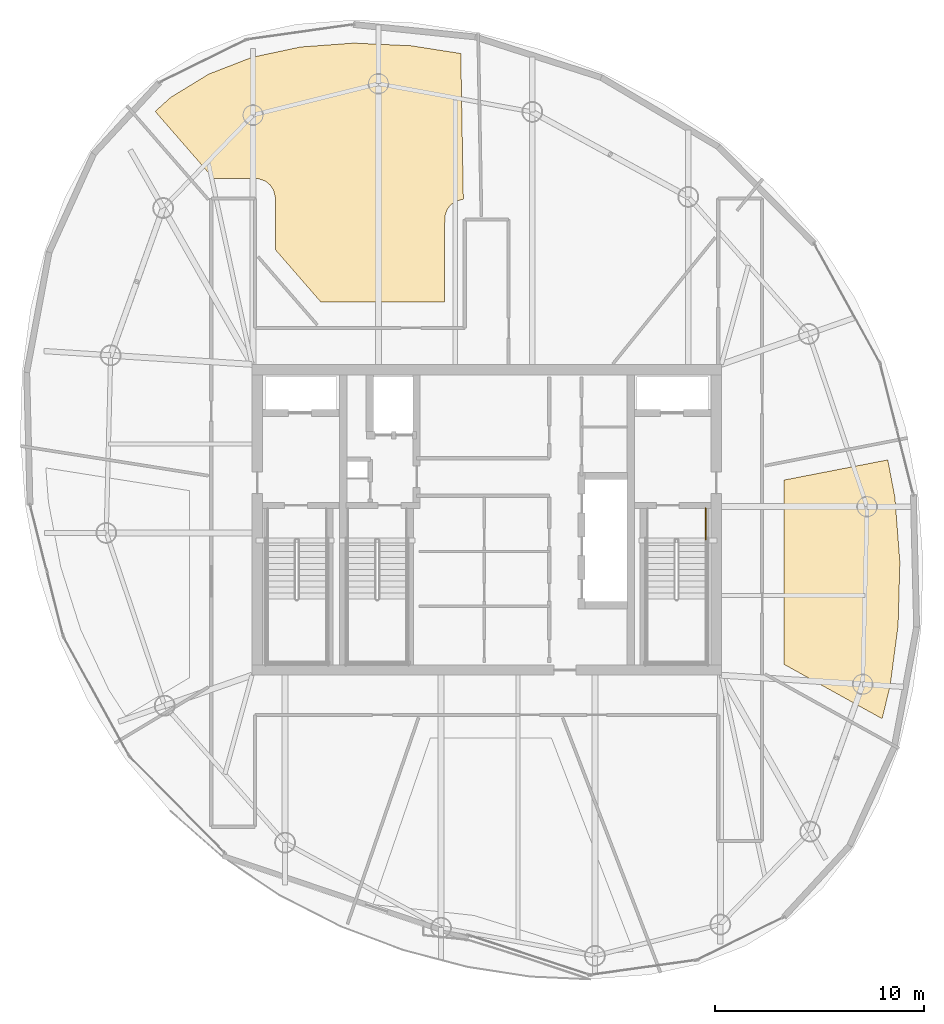
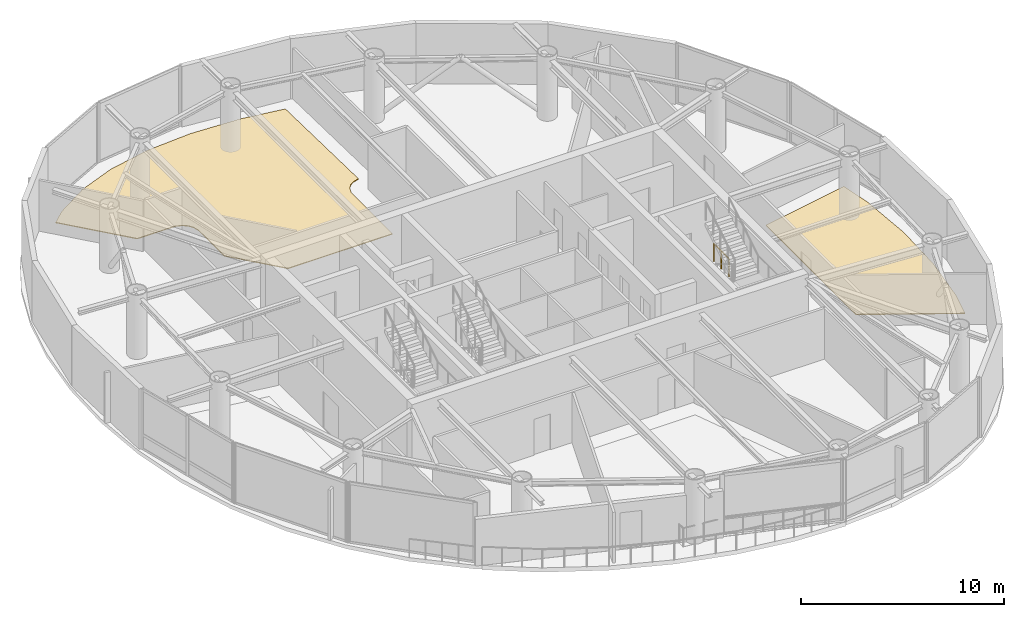
# One storey, part 20 of 20: 2 coverings, 1 railing.
"""IFC4 building model written with IfcOpenShell, lengths in metres."""

from ifc_helpers import new_model, si_unit, direction, frame, origin, origin_2d, place, context, subcontext, project, spatial, polyline, circle, outline, extrude, material, layer, layer_set, type_object, element, save


model = new_model("IFC4")

# Units and contexts
model_context = context("Model", 3, precision=1e-05, world=origin(), true_north=direction((0.0, 1.0)))
body_context = subcontext(model_context, "Body", "Model", "MODEL_VIEW")
ifc_project = project(units=[si_unit("LENGTHUNIT", "METRE"), si_unit("AREAUNIT", "SQUARE_METRE"), si_unit("VOLUMEUNIT", "CUBIC_METRE"), si_unit("PLANEANGLEUNIT", "RADIAN"), si_unit("MASSUNIT", "GRAM", prefix="KILO")], contexts=[model_context])

# Site, building, storey
site_placement = place(None, origin())
site = spatial("IfcSite", under=ifc_project, at=site_placement, CompositionType="ELEMENT")
building_placement = place(site_placement, origin())
building = spatial("IfcBuilding", under=site, at=building_placement, Name="Bramvorn Convention Spire", CompositionType="ELEMENT")
storey_placement = place(building_placement, frame((0.0, 0.0, 245.89990234375)))
storey = spatial("IfcBuildingStorey", under=building, at=storey_placement, Name="L62", CompositionType="ELEMENT", Elevation=245.89990234375)

# Coverings
ifc_material_1 = material(Name="Calcium-Sulphate Raised Access Office Floor", Category="steel")
ifc_layer = layer(ifc_material_1, 0.044921875)
ifc_layer_set = layer_set([ifc_layer], Name="Calcium-Sulphate Raised Access Office Floor - FLR-RAISED-45")
covering_type = type_object("IfcCoveringType", Name="FLR-RAISED-45", PredefinedType="FLOORING", material=ifc_layer_set)
covering_1_placement = place(storey_placement, origin())
element("IfcCovering", 1, at=covering_1_placement, inside=storey, type_object=covering_type, Name="L62 Conference Meeting Room 4 4 raised floor finish", PredefinedType="FLOORING", context=body_context, shape_type="SweptSolid", body=[
    extrude(outline(polyline([(22.852783203125, 46.24755859375), (22.10986328125, 45.5751953125), (24.89599609375, 42.3701171875), (27.03662109375, 42.360107421875), (27.3935546875, 42.23486328125), (27.62255859375, 42.047119140625), (27.779296875, 41.809326171875), (27.868408203125, 41.45361328125), (27.8701171875, 38.94873046875), (30.042236328125, 36.449951171875), (35.97998046875, 36.449951171875), (35.991455078125, 40.548095703125), (36.114990234375, 40.8935546875), (36.294189453125, 41.11474609375), (36.540771484375, 41.279296875), (36.881591796875, 41.366943359375), (36.759765625, 48.3505859375), (34.38427734375, 48.72119140625), (31.6337890625, 48.85009765625), (29.07421875, 48.66357421875), (26.747802734375, 48.16650390625), (24.674560546875, 47.36181640625), (22.852783203125, 46.24755859375)])), origin(), (0.0, 0.0, 1.0), 0.045166015625),
])
covering_2_placement = place(storey_placement, origin())
element("IfcCovering", 2, at=covering_2_placement, inside=storey, type_object=covering_type, Name="L62 Conference Meeting Room 1 10 raised floor finish", PredefinedType="FLOORING", context=body_context, shape_type="SweptSolid", body=[
    extrude(outline(polyline([(57.56640625, 27.08203125), (57.2265625, 28.871337890625), (52.25, 27.904052734375), (52.25, 19.072998046875), (56.954345703125, 16.46533203125), (57.338134765625, 18.0380859375), (57.720703125, 20.93017578125), (57.805908203125, 23.970458984375), (57.56640625, 27.08203125)])), origin(), (0.0, 0.0, 1.0), 0.045166015625),
])

# Railing
ifc_material_2 = material(Name="Painted Steel Balustrade & Guardrail", Category="steel")
railing_type = type_object("IfcRailingType", Name="RL-STAIR-GUARD-1100", PredefinedType="GUARDRAIL", material=ifc_material_2)
railing_placement = place(storey_placement, frame((48.5, 26.550048828125, 0.0)))
element("IfcRailing", 3, at=railing_placement, inside=storey, type_object=railing_type, Name="L62 ST2 stair guard 9", PredefinedType="GUARDRAIL", context=body_context, shape_type="SweptSolid", body=[
    extrude(circle(Radius=0.02392578125, at=origin_2d()), frame((0.0, 0.0, 1.076171875), z_axis=(0.0, -1.0, 0.0), x_axis=(1.0, 0.0, 0.0)), (0.0, 0.0, 1.0), 1.5),
    extrude(circle(Radius=0.02099609375, at=origin_2d()), origin(), (0.0, 0.0, 1.0), 1.052001953125),
    extrude(circle(Radius=0.02099609375, at=origin_2d()), frame((0.0, -0.75, 0.0)), (0.0, 0.0, 1.0), 1.052001953125),
    extrude(circle(Radius=0.02099609375, at=origin_2d()), frame((0.0, -1.5, 0.0)), (0.0, 0.0, 1.0), 1.052001953125),
])

save(model, "model.ifc")
